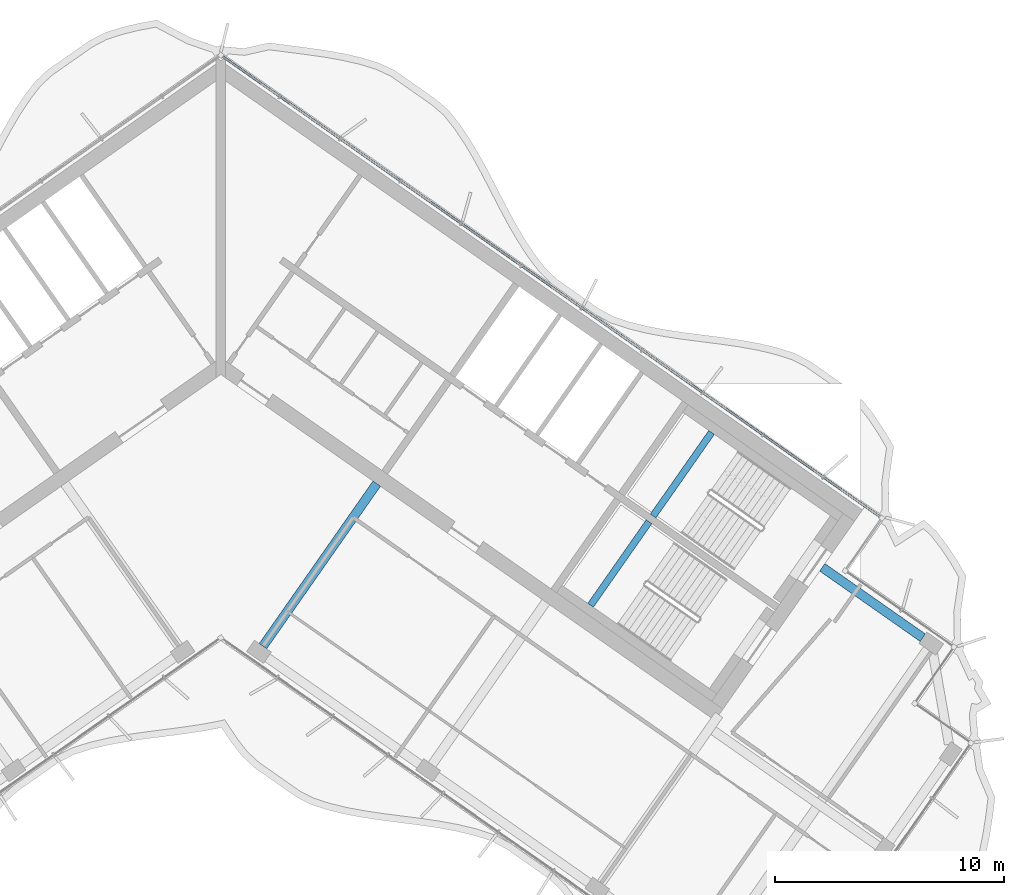
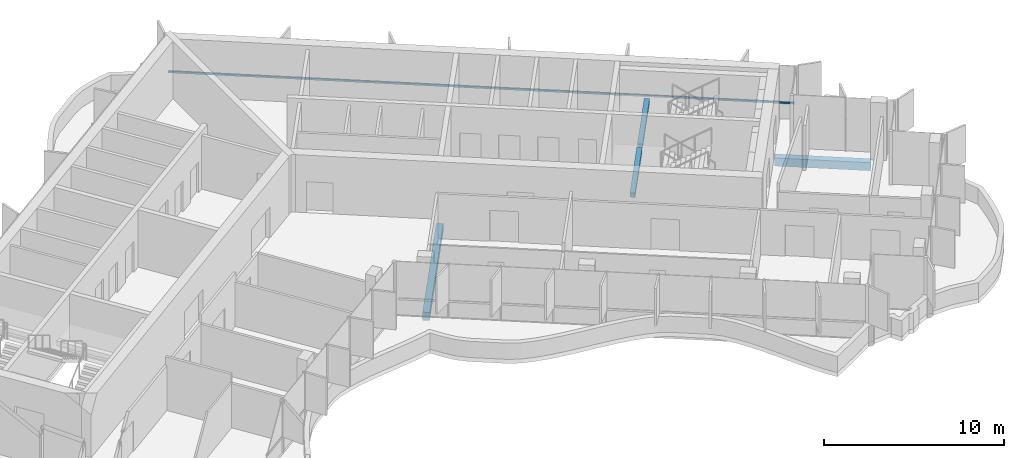
# One storey, part 5 of 20: 4 beams, 1 member, 1 element without a shape of its own.
"""IFC4 building model written with IfcOpenShell, lengths in metres."""

import ifcopenshell
import ifcopenshell.guid

model = None  # the IFC model being written
_history = None  # IfcOwnerHistory: only IFC2X3 demands one
_inside = {}  # id of a spatial element -> (the spatial element, [elements in it])
_under = {}  # id of a project, library or spatial element -> (it, [spatial elements below it])
_declared = {}  # id of a project -> (the project, [libraries it declares])
_typed = {}  # id of a type object -> (the type object, [elements of that type])
_made_of = {}  # id of a material, layer set ... -> (it, [elements and type objects made of it])


def new_model(schema):
    """Start an empty IFC model of exactly this schema.

    Asked for "IFC4X3", IfcOpenShell would pick the latest addendum, in which some entities
    have other attributes; the version numbers below select the first issue.
    IFC2X3 requires an IfcOwnerHistory on every rooted entity: one is made here for all.
    """
    global model, _history
    if schema == "IFC4X3":
        model = ifcopenshell.file(schema_version=(4, 3, 0, 0))
    else:
        model = ifcopenshell.file(schema=schema)
    _inside.clear()
    _under.clear()
    _declared.clear()
    _typed.clear()
    _made_of.clear()
    _history = None
    if model.schema == "IFC2X3":
        org = make("IfcOrganization", Name="unknown")
        user = make(
            "IfcPersonAndOrganization",
            ThePerson=make("IfcPerson", FamilyName="unknown"),
            TheOrganization=org,
        )
        app = make(
            "IfcApplication",
            ApplicationDeveloper=org,
            Version="unknown",
            ApplicationFullName="unknown",
            ApplicationIdentifier="unknown",
        )
        _history = make(
            "IfcOwnerHistory",
            OwningUser=user,
            OwningApplication=app,
            ChangeAction="ADDED",
            CreationDate=0,
        )
    return model


def make(cls, **values):
    """One entity of the class cls with the attributes given. An attribute that is None is left unset."""
    return model.create_entity(
        cls, **{name: value for name, value in values.items() if value is not None}
    )


def rooted(cls, **values):
    """An entity with a GlobalId (a new one), such as an element, a storey or a relation."""
    return make(cls, GlobalId=ifcopenshell.guid.new(), OwnerHistory=_history, **values)


def si_unit(unit_type, name, prefix=None):
    """IfcSIUnit, for example si_unit("LENGTHUNIT", "METRE", prefix="MILLI")."""
    return make("IfcSIUnit", UnitType=unit_type, Prefix=prefix, Name=name)


def assignment(units):
    """IfcUnitAssignment: the units of a project."""
    return None if units is None else make("IfcUnitAssignment", Units=units)


def point(xyz):
    """IfcCartesianPoint."""
    return None if xyz is None else make("IfcCartesianPoint", Coordinates=xyz)


def direction(xyz):
    """IfcDirection."""
    return None if xyz is None else make("IfcDirection", DirectionRatios=xyz)


def frame(location, z_axis=None, x_axis=None):
    """IfcAxis2Placement3D, a coordinate frame: its origin and axes. An axis left out is left unset."""
    return make(
        "IfcAxis2Placement3D",
        Location=point(location),
        Axis=direction(z_axis),
        RefDirection=direction(x_axis),
    )


def frame_2d(location, x_axis=None):
    """IfcAxis2Placement2D, a coordinate frame in the plane: its origin and x axis."""
    return make(
        "IfcAxis2Placement2D", Location=point(location), RefDirection=direction(x_axis)
    )


def origin():
    """The frame at (0, 0, 0) with its axes left unset."""
    return frame((0.0, 0.0, 0.0))


def origin_2d():
    """The frame at (0, 0) in the plane with its x axis left unset."""
    return frame_2d((0.0, 0.0))


def place(relative_to, where):
    """IfcLocalPlacement: puts the frame where relative to a parent placement (None: the world)."""
    return make(
        "IfcLocalPlacement", PlacementRelTo=relative_to, RelativePlacement=where
    )


def context(
    kind, dimensions, precision=None, world=None, true_north=None, identifier=None
):
    """IfcGeometricRepresentationContext, for example the 3D "Model" context."""
    return make(
        "IfcGeometricRepresentationContext",
        ContextIdentifier=identifier,
        ContextType=kind,
        CoordinateSpaceDimension=dimensions,
        Precision=precision,
        WorldCoordinateSystem=world,
        TrueNorth=true_north,
    )


def subcontext(parent, identifier, kind, view, scale=None):
    """IfcGeometricRepresentationSubContext, for example "Body" below "Model"."""
    return make(
        "IfcGeometricRepresentationSubContext",
        ContextIdentifier=identifier,
        ContextType=kind,
        ParentContext=parent,
        TargetScale=scale,
        TargetView=view,
    )


def project(units=None, contexts=None):
    """IfcProject with its units and contexts."""
    return rooted(
        "IfcProject",
        Name="project",
        RepresentationContexts=contexts,
        UnitsInContext=assignment(units),
    )


def spatial(cls, under=None, at=None, **own):
    """A site, building, storey or space (cls), placed at a placement, below another one or the project."""
    s = rooted(cls, ObjectPlacement=at, **own)
    if under is not None:
        _under.setdefault(under.id(), (under, []))[1].append(s)
    return s


def profile(cls, at=None, kind="AREA", **sizes):
    """A parametric profile (cls). Its sizes go by their IFC names, for example OverallWidth=200.0."""
    return make(cls, ProfileType=kind, Position=at, **sizes)


def rectangle(**sizes):
    """IfcRectangleProfileDef."""
    return profile("IfcRectangleProfileDef", **sizes)


def extrude(swept, where, along, depth):
    """IfcExtrudedAreaSolid: the profile swept, set in the frame where, extruded along a direction by depth."""
    return make(
        "IfcExtrudedAreaSolid",
        SweptArea=swept,
        Position=where,
        ExtrudedDirection=direction(along),
        Depth=depth,
    )


def shape(context_of_items, identifier, shape_type, items):
    """IfcShapeRepresentation: the items that make up one representation, for example the "Body"."""
    return make(
        "IfcShapeRepresentation",
        ContextOfItems=context_of_items,
        RepresentationIdentifier=identifier,
        RepresentationType=shape_type,
        Items=items,
    )


def material(Name=None, Category=None):
    """IfcMaterial."""
    return make("IfcMaterial", Name=Name, Category=Category)


def material_profile(
    of_material, cross_section, Name=None, Category=None, Priority=None
):
    """IfcMaterialProfile: a cross section and its material."""
    return make(
        "IfcMaterialProfile",
        Name=Name,
        Material=of_material,
        Profile=cross_section,
        Priority=Priority,
        Category=Category,
    )


def profile_set(profiles, Name=None, composite=None):
    """IfcMaterialProfileSet."""
    return make(
        "IfcMaterialProfileSet",
        Name=Name,
        MaterialProfiles=profiles,
        CompositeProfile=composite,
    )


def made_of(thing, what):
    """Note that an element or type object is made of a material, layer set ...; save() writes the relation."""
    if what is not None:
        _made_of.setdefault(what.id(), (what, []))[1].append(thing)
    return thing


def type_object(cls, material=None, **own):
    """A type object (cls), such as IfcWallType, which elements share."""
    return made_of(rooted(cls, **own), material)


def element(
    cls,
    number,
    at=None,
    inside=None,
    cuts=None,
    type_object=None,
    material=None,
    context=None,
    identifier="Body",
    shape_type=None,
    held_by="IfcProductDefinitionShape",
    body=None,
    shapes=None,
    **own,
):
    """One element of the class cls, such as IfcWall. Its Tag is "e" and its number.

    at: its placement. inside: the storey or other place that contains it. cuts: it is an
    opening in that element (IfcRelVoidsElement). A single representation is given by context,
    identifier, shape_type and body (its items); several are given by shapes. held_by: the class
    of the entity that holds the representations. save() writes the other relations.
    """
    e = rooted(cls, Tag="e%d" % number, ObjectPlacement=at, **own)
    if body is not None:
        shapes = [shape(context, identifier, shape_type, body)]
    if shapes is not None:
        e.Representation = make(held_by, Representations=shapes)
    if inside is not None:
        _inside.setdefault(inside.id(), (inside, []))[1].append(e)
    if cuts is not None:
        rooted(
            "IfcRelVoidsElement", RelatingBuildingElement=cuts, RelatedOpeningElement=e
        )
    if type_object is not None:
        _typed.setdefault(type_object.id(), (type_object, []))[1].append(e)
    return made_of(e, material)


def aggregate(whole, parts):
    """IfcRelAggregates: a whole, such as a stair, and the parts it consists of."""
    return rooted("IfcRelAggregates", RelatingObject=whole, RelatedObjects=parts)


def save(model, path):
    """Write the relations noted so far, then the file.

    IfcRelAggregates (storeys below a building ...), IfcRelContainedInSpatialStructure (elements
    in a storey), IfcRelDefinesByType, IfcRelAssociatesMaterial and IfcRelDeclares: one each for
    every whole, place, type object, material and project.
    """
    for whole, parts in _under.values():
        aggregate(whole, parts)
    for where, things in _inside.values():
        rooted(
            "IfcRelContainedInSpatialStructure",
            RelatedElements=things,
            RelatingStructure=where,
        )
    for kind, things in _typed.values():
        rooted("IfcRelDefinesByType", RelatedObjects=things, RelatingType=kind)
    for what, things in _made_of.values():
        rooted("IfcRelAssociatesMaterial", RelatedObjects=things, RelatingMaterial=what)
    for by, libraries in _declared.values():
        rooted("IfcRelDeclares", RelatingContext=by, RelatedDefinitions=libraries)
    model.write(path)


model = new_model("IFC4")

# Units and contexts
model_context = context("Model", 3, precision=1e-05, world=origin(), true_north=direction((0.0, 1.0)))
body_context = subcontext(model_context, "Body", "Model", "MODEL_VIEW")
ifc_project = project(units=[si_unit("LENGTHUNIT", "METRE"), si_unit("AREAUNIT", "SQUARE_METRE"), si_unit("VOLUMEUNIT", "CUBIC_METRE"), si_unit("PLANEANGLEUNIT", "RADIAN"), si_unit("MASSUNIT", "GRAM", prefix="KILO")], contexts=[model_context])

# Site, building, storey
site_placement = place(None, origin())
site = spatial("IfcSite", under=ifc_project, at=site_placement, CompositionType="ELEMENT")
building_placement = place(site_placement, origin())
building = spatial("IfcBuilding", under=site, at=building_placement, Name="Tel Ilan Convention Tower", CompositionType="ELEMENT")
storey_placement = place(building_placement, frame((0.0, 0.0, 237.10009765625)))
storey = spatial("IfcBuildingStorey", under=building, at=storey_placement, Name="L55", CompositionType="ELEMENT", Elevation=237.10009765625)

# Beams
ifc_material_1 = material(Name="Concrete C40/50", Category="concrete")
ifc_material_profile_1 = material_profile(ifc_material_1, rectangle(XDim=0.39990234375, YDim=0.550048828125, at=origin_2d()), Name="RC 400x550")
ifc_profile_set_1 = profile_set([ifc_material_profile_1], Name="Concrete C40/50")
beam_type_1 = type_object("IfcBeamType", Name="Beam RC 400x550 Concrete C40/50", PredefinedType="BEAM", material=ifc_profile_set_1)
beam_1_placement = place(storey_placement, frame((30.6005859375, -12.6982421875, -0.55517578125), z_axis=(-0.819146154531, 0.573584847705, 0.0), x_axis=(-0.573584847705, -0.819146154531, 0.0)))
element("IfcBeam", 1, at=beam_1_placement, inside=storey, type_object=beam_type_1, Name="L55 beam E-E-BC-core", PredefinedType="BEAM", context=body_context, shape_type="SweptSolid", body=[
    extrude(rectangle(XDim=0.39990234375, YDim=0.550048828125, at=origin_2d()), origin(), (0.0, 0.0, 1.0), 5.349853515625),
])
beam_2_placement = place(storey_placement, frame((1.83740234375, -13.06689453125, -0.55517578125), z_axis=(0.573574099654, 0.819153680457, 0.0), x_axis=(-0.819153680457, 0.573574099654, 0.0)))
element("IfcBeam", 2, at=beam_2_placement, inside=storey, type_object=beam_type_1, Name="L55 beam E-E-F1-core", PredefinedType="BEAM", context=body_context, shape_type="SweptSolid", body=[
    extrude(rectangle(XDim=0.39990234375, YDim=0.550048828125, at=origin_2d()), origin(), (0.0, 0.0, 1.0), 8.64990234375),
])

# Curtain wall, member
ifc_material_2 = material(Name="Aluminium, bronze anodised", Category="aluminium")
curtain_wall_type = type_object("IfcCurtainWallType", Name="CW2 STICK CURTAIN WALL, SPANDREL PANELS", PredefinedType="NOTDEFINED", material=ifc_material_2)
curtain_wall_placement = place(storey_placement, origin())
curtain_wall = element("IfcCurtainWall", 3, at=curtain_wall_placement, inside=storey, type_object=curtain_wall_type, Name="Curtain wall CW2-42.01", PredefinedType="NOTDEFINED")
ifc_material_3 = material(Name="Aluminium, bronze anodised", Category="aluminium")
ifc_material_profile_2 = material_profile(ifc_material_3, rectangle(XDim=0.10009765625, YDim=0.1201171875, at=origin_2d()), Name="CW TRANSOM 100x120")
ifc_profile_set_2 = profile_set([ifc_material_profile_2], Name="Aluminium, bronze anodised")
member_type = type_object("IfcMemberType", Name="CW TRANSOM 100x120", PredefinedType="USERDEFINED", material=ifc_profile_set_2)
member_placement = place(storey_placement, frame((28.737548828125, -7.42626953125, 1.099853515625), z_axis=(-0.819150201937, 0.573579067494, 0.0), x_axis=(-0.573579067494, -0.819150201937, 0.0)))
member = element("IfcMember", 4, at=member_placement, type_object=member_type, Name="Transom", ObjectType="TRANSOM", PredefinedType="USERDEFINED", context=body_context, shape_type="SweptSolid", body=[
    extrude(rectangle(XDim=0.10009765625, YDim=0.1201171875, at=origin_2d()), origin(), (0.0, 0.0, 1.0), 34.9521484375),
])
aggregate(curtain_wall, [member])

# Beams
ifc_material_4 = material(Name="Concrete C40/50", Category="concrete")
ifc_material_profile_3 = material_profile(ifc_material_4, rectangle(XDim=0.300048828125, YDim=0.300048828125, at=origin_2d()), Name="RC 300x300")
ifc_profile_set_3 = profile_set([ifc_material_profile_3], Name="Concrete C40/50")
beam_type_2 = type_object("IfcBeamType", Name="Landing Beam RC 300x300 Concrete C40/50", PredefinedType="BEAM", material=ifc_profile_set_3)
beam_3_placement = place(storey_placement, frame((21.39404296875, -3.7490234375, 1.599853515625), z_axis=(-0.573547030514, -0.819172633691, 0.0), x_axis=(0.819172633691, -0.573547030514, 0.0)))
element("IfcBeam", 5, at=beam_3_placement, inside=storey, type_object=beam_type_2, Name="S3 landing beam L55.1", PredefinedType="BEAM", context=body_context, shape_type="SweptSolid", body=[
    extrude(rectangle(XDim=0.300048828125, YDim=0.300048828125, at=origin_2d()), origin(), (0.0, 0.0, 1.0), 4.449951171875),
])
beam_4_placement = place(storey_placement, frame((18.669677734375, -7.64013671875, 1.599853515625), z_axis=(-0.573583844845, -0.819146856756, 0.0), x_axis=(0.819146856756, -0.573583844845, 0.0)))
element("IfcBeam", 6, at=beam_4_placement, inside=storey, type_object=beam_type_2, Name="S4 landing beam L55.1", PredefinedType="BEAM", context=body_context, shape_type="SweptSolid", body=[
    extrude(rectangle(XDim=0.300048828125, YDim=0.300048828125, at=origin_2d()), origin(), (0.0, 0.0, 1.0), 4.4501953125),
])

save(model, "model.ifc")
